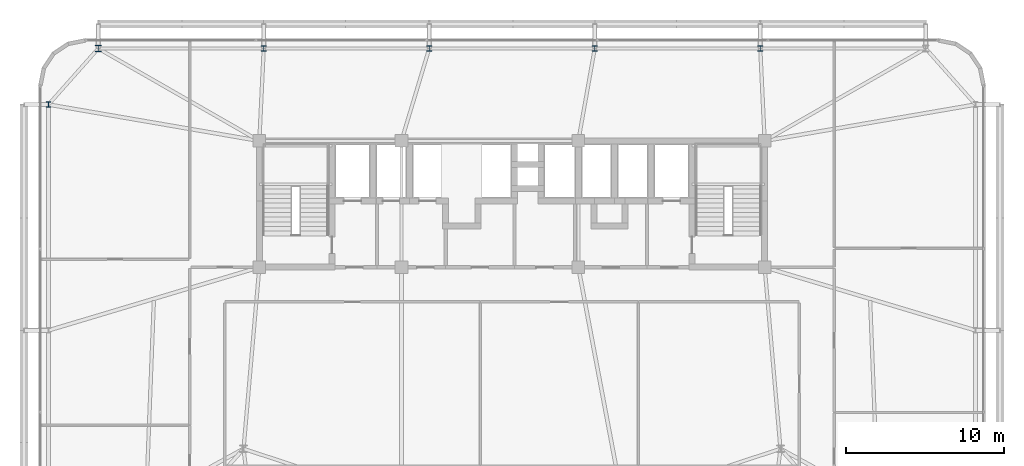
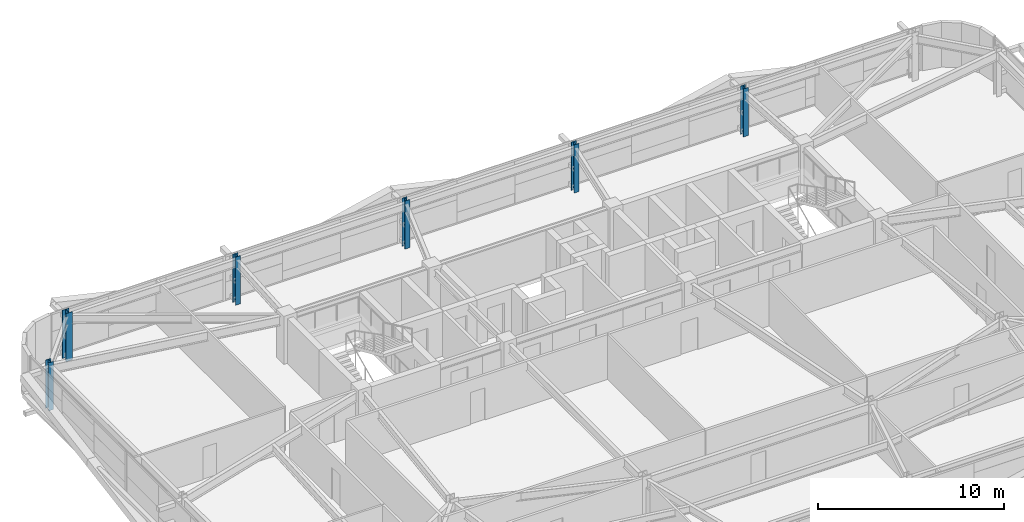
# One storey, part 3 of 44: 6 columns.
"""IFC4 building model written with IfcOpenShell, lengths in metres."""

from ifc_helpers import new_model, si_unit, direction, frame, origin, origin_2d, place, context, subcontext, project, spatial, i_section, extrude, source, transform, mapped, material, material_profile, profile_set, type_object, element, save


model = new_model("IFC4")

# Units and contexts
model_context = context("Model", 3, precision=1e-05, world=origin(), true_north=direction((0.0, 1.0)))
body_context = subcontext(model_context, "Body", "Model", "MODEL_VIEW")
ifc_project = project(units=[si_unit("LENGTHUNIT", "METRE"), si_unit("AREAUNIT", "SQUARE_METRE"), si_unit("VOLUMEUNIT", "CUBIC_METRE"), si_unit("PLANEANGLEUNIT", "RADIAN"), si_unit("MASSUNIT", "GRAM", prefix="KILO")], contexts=[model_context])

# Site, building, storey
site_placement = place(None, origin())
site = spatial("IfcSite", under=ifc_project, at=site_placement, CompositionType="ELEMENT")
building_placement = place(site_placement, origin())
building = spatial("IfcBuilding", under=site, at=building_placement, Name="Taldren Reach Tower", CompositionType="ELEMENT")
storey_placement = place(building_placement, frame((0.0, 0.0, 38.85009765625)))
storey = spatial("IfcBuildingStorey", under=building, at=storey_placement, Name="L11", CompositionType="ELEMENT", Elevation=38.85009765625)

# Columns
ifc_material = material(Name="Steel Gr 350 (350PLUS)", Category="steel")
ifc_material_profile_1 = material_profile(ifc_material, i_section(OverallWidth=0.39990234375, OverallDepth=0.39599609375, WebThickness=0.02197265625, FlangeThickness=0.033935546875, at=origin_2d()), Name="400WC270")
ifc_profile_set_1 = profile_set([ifc_material_profile_1], Name="Steel Gr 350 (350PLUS)")
column_type_1 = type_object("IfcColumnType", Name="COL-WC400", PredefinedType="COLUMN", material=ifc_profile_set_1)
shared_shape_1 = source(origin(), body_context, "Body", "SweptSolid", [
    extrude(i_section(OverallWidth=0.39990234375, OverallDepth=0.39599609375, WebThickness=0.02197265625, FlangeThickness=0.033935546875, at=origin_2d()), origin(), (0.0, 0.0, 1.0), 3.14990234375),
])
column_placement = place(storey_placement, frame((8.800048828125, 37.85009765625, 0.0), z_axis=(0.0, 0.0, 1.0), x_axis=(1.0, 0.0, 0.0)))
element("IfcColumn", 1, at=column_placement, inside=storey, type_object=column_type_1, Name="Block B1 perimeter column N1 L11", PredefinedType="COLUMN", context=body_context, shape_type="MappedRepresentation", body=[
    mapped(shared_shape_1, transform((0.0, 0.0, 0.0), scale=1.0)),
])
ifc_material_profile_2 = material_profile(ifc_material, i_section(OverallWidth=0.31103515625, OverallDepth=0.326904296875, WebThickness=0.015625, FlangeThickness=0.02490234375, at=origin_2d()), Name="310UC158")
ifc_profile_set_2 = profile_set([ifc_material_profile_2], Name="Steel Gr 350 (350PLUS)")
column_type_2 = type_object("IfcColumnType", Name="COL-UC310A", PredefinedType="COLUMN", material=ifc_profile_set_2)
shared_shape_2 = source(origin(), body_context, "Body", "SweptSolid", [
    extrude(i_section(OverallWidth=0.31103515625, OverallDepth=0.326904296875, WebThickness=0.015625, FlangeThickness=0.02490234375, at=origin_2d()), origin(), (0.0, 0.0, 1.0), 3.14990234375),
])
for number, where, z_axis, x_axis, name in (
    (2, (19.280029296875, 37.85009765625, 0.0), (0.0, 0.0, 1.0), (1.0, 0.0, 0.0), "Block B1 perimeter column N2 L11"),
    (3, (29.760009765625, 37.85009765625, 0.0), (0.0, 0.0, 1.0), (1.0, 0.0, 0.0), "Block B1 perimeter column N3 L11"),
    (4, (40.239990234375, 37.85009765625, 0.0), (0.0, 0.0, 1.0), (1.0, 0.0, 0.0), "Block B1 perimeter column N4 L11"),
    (5, (50.719970703125, 37.85009765625, 0.0), (0.0, 0.0, 1.0), (1.0, 0.0, 0.0), "Block B1 perimeter column N5 L11"),
    (6, (5.64990234375, 34.300048828125, 0.0), (0.0, 0.0, 1.0), (1.0, 0.0, 0.0), "Block B1 perimeter column W3 L11"),
):
    element("IfcColumn", number, at=place(storey_placement, frame(where, z_axis=z_axis, x_axis=x_axis)), inside=storey, type_object=column_type_2, Name=name, PredefinedType="COLUMN", context=body_context, shape_type="MappedRepresentation", body=[
        mapped(shared_shape_2, transform((0.0, 0.0, 0.0), scale=1.0)),
    ])

save(model, "model.ifc")
